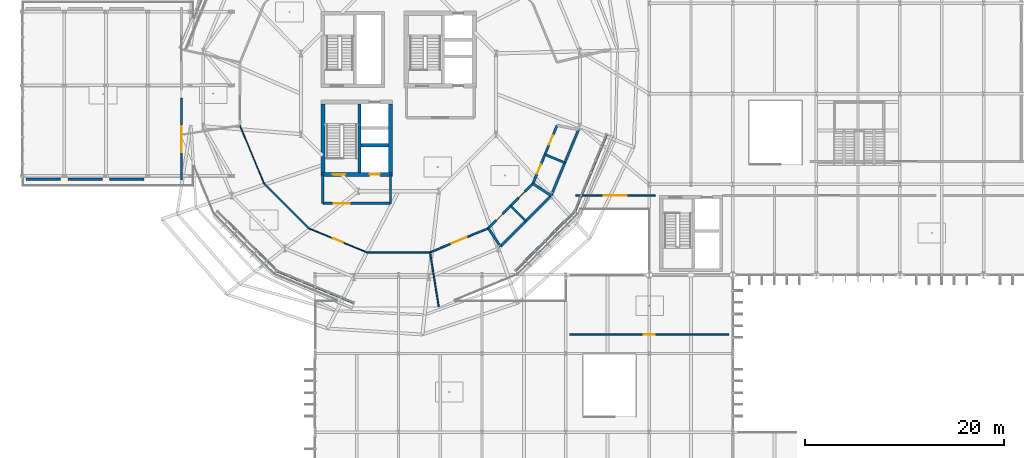
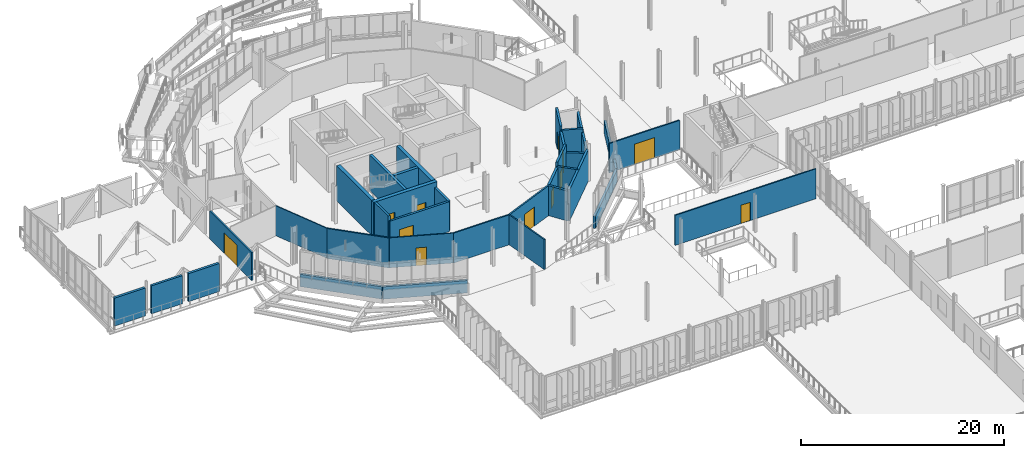
# One storey, part 101 of 139: 34 walls, 12 doors, 12 openings.
"""IFC4 building model written with IfcOpenShell, lengths in metres."""

import ifcopenshell
import ifcopenshell.guid

model = None  # the IFC model being written
_history = None  # IfcOwnerHistory: only IFC2X3 demands one
_inside = {}  # id of a spatial element -> (the spatial element, [elements in it])
_under = {}  # id of a project, library or spatial element -> (it, [spatial elements below it])
_declared = {}  # id of a project -> (the project, [libraries it declares])
_typed = {}  # id of a type object -> (the type object, [elements of that type])
_made_of = {}  # id of a material, layer set ... -> (it, [elements and type objects made of it])


def new_model(schema):
    """Start an empty IFC model of exactly this schema.

    Asked for "IFC4X3", IfcOpenShell would pick the latest addendum, in which some entities
    have other attributes; the version numbers below select the first issue.
    IFC2X3 requires an IfcOwnerHistory on every rooted entity: one is made here for all.
    """
    global model, _history
    if schema == "IFC4X3":
        model = ifcopenshell.file(schema_version=(4, 3, 0, 0))
    else:
        model = ifcopenshell.file(schema=schema)
    _inside.clear()
    _under.clear()
    _declared.clear()
    _typed.clear()
    _made_of.clear()
    _history = None
    if model.schema == "IFC2X3":
        org = make("IfcOrganization", Name="unknown")
        user = make(
            "IfcPersonAndOrganization",
            ThePerson=make("IfcPerson", FamilyName="unknown"),
            TheOrganization=org,
        )
        app = make(
            "IfcApplication",
            ApplicationDeveloper=org,
            Version="unknown",
            ApplicationFullName="unknown",
            ApplicationIdentifier="unknown",
        )
        _history = make(
            "IfcOwnerHistory",
            OwningUser=user,
            OwningApplication=app,
            ChangeAction="ADDED",
            CreationDate=0,
        )
    return model


def make(cls, **values):
    """One entity of the class cls with the attributes given. An attribute that is None is left unset."""
    return model.create_entity(
        cls, **{name: value for name, value in values.items() if value is not None}
    )


def rooted(cls, **values):
    """An entity with a GlobalId (a new one), such as an element, a storey or a relation."""
    return make(cls, GlobalId=ifcopenshell.guid.new(), OwnerHistory=_history, **values)


def si_unit(unit_type, name, prefix=None):
    """IfcSIUnit, for example si_unit("LENGTHUNIT", "METRE", prefix="MILLI")."""
    return make("IfcSIUnit", UnitType=unit_type, Prefix=prefix, Name=name)


def derived_unit(unit_type, elements):
    """IfcDerivedUnit: a product of units, each with its exponent."""
    return make(
        "IfcDerivedUnit",
        Elements=[
            make("IfcDerivedUnitElement", Unit=unit, Exponent=power)
            for unit, power in elements
        ],
        UnitType=unit_type,
    )


def assignment(units):
    """IfcUnitAssignment: the units of a project."""
    return None if units is None else make("IfcUnitAssignment", Units=units)


def point(xyz):
    """IfcCartesianPoint."""
    return None if xyz is None else make("IfcCartesianPoint", Coordinates=xyz)


def direction(xyz):
    """IfcDirection."""
    return None if xyz is None else make("IfcDirection", DirectionRatios=xyz)


def frame(location, z_axis=None, x_axis=None):
    """IfcAxis2Placement3D, a coordinate frame: its origin and axes. An axis left out is left unset."""
    return make(
        "IfcAxis2Placement3D",
        Location=point(location),
        Axis=direction(z_axis),
        RefDirection=direction(x_axis),
    )


def frame_2d(location, x_axis=None):
    """IfcAxis2Placement2D, a coordinate frame in the plane: its origin and x axis."""
    return make(
        "IfcAxis2Placement2D", Location=point(location), RefDirection=direction(x_axis)
    )


def origin():
    """The frame at (0, 0, 0) with its axes left unset."""
    return frame((0.0, 0.0, 0.0))


def place(relative_to, where):
    """IfcLocalPlacement: puts the frame where relative to a parent placement (None: the world)."""
    return make(
        "IfcLocalPlacement", PlacementRelTo=relative_to, RelativePlacement=where
    )


def context(
    kind, dimensions, precision=None, world=None, true_north=None, identifier=None
):
    """IfcGeometricRepresentationContext, for example the 3D "Model" context."""
    return make(
        "IfcGeometricRepresentationContext",
        ContextIdentifier=identifier,
        ContextType=kind,
        CoordinateSpaceDimension=dimensions,
        Precision=precision,
        WorldCoordinateSystem=world,
        TrueNorth=true_north,
    )


def subcontext(parent, identifier, kind, view, scale=None):
    """IfcGeometricRepresentationSubContext, for example "Body" below "Model"."""
    return make(
        "IfcGeometricRepresentationSubContext",
        ContextIdentifier=identifier,
        ContextType=kind,
        ParentContext=parent,
        TargetScale=scale,
        TargetView=view,
    )


def project(units=None, contexts=None):
    """IfcProject with its units and contexts."""
    return rooted(
        "IfcProject",
        Name="project",
        RepresentationContexts=contexts,
        UnitsInContext=assignment(units),
    )


def spatial(cls, under=None, at=None, **own):
    """A site, building, storey or space (cls), placed at a placement, below another one or the project."""
    s = rooted(cls, ObjectPlacement=at, **own)
    if under is not None:
        _under.setdefault(under.id(), (under, []))[1].append(s)
    return s


def profile(cls, at=None, kind="AREA", **sizes):
    """A parametric profile (cls). Its sizes go by their IFC names, for example OverallWidth=200.0."""
    return make(cls, ProfileType=kind, Position=at, **sizes)


def rectangle(**sizes):
    """IfcRectangleProfileDef."""
    return profile("IfcRectangleProfileDef", **sizes)


def extrude(swept, where, along, depth):
    """IfcExtrudedAreaSolid: the profile swept, set in the frame where, extruded along a direction by depth."""
    return make(
        "IfcExtrudedAreaSolid",
        SweptArea=swept,
        Position=where,
        ExtrudedDirection=direction(along),
        Depth=depth,
    )


def shape(context_of_items, identifier, shape_type, items):
    """IfcShapeRepresentation: the items that make up one representation, for example the "Body"."""
    return make(
        "IfcShapeRepresentation",
        ContextOfItems=context_of_items,
        RepresentationIdentifier=identifier,
        RepresentationType=shape_type,
        Items=items,
    )


def material(Name=None, Category=None):
    """IfcMaterial."""
    return make("IfcMaterial", Name=Name, Category=Category)


def layer(
    of_material, thickness, ventilated=None, Name=None, Category=None, Priority=None
):
    """IfcMaterialLayer: one layer of a wall or slab, of a material (None: an air gap)."""
    return make(
        "IfcMaterialLayer",
        Material=of_material,
        LayerThickness=thickness,
        IsVentilated=ventilated,
        Name=Name,
        Category=Category,
        Priority=Priority,
    )


def layer_set(layers, Name=None):
    """IfcMaterialLayerSet."""
    return make("IfcMaterialLayerSet", MaterialLayers=layers, LayerSetName=Name)


def made_of(thing, what):
    """Note that an element or type object is made of a material, layer set ...; save() writes the relation."""
    if what is not None:
        _made_of.setdefault(what.id(), (what, []))[1].append(thing)
    return thing


def type_object(cls, material=None, **own):
    """A type object (cls), such as IfcWallType, which elements share."""
    return made_of(rooted(cls, **own), material)


def element(
    cls,
    number,
    at=None,
    inside=None,
    cuts=None,
    type_object=None,
    material=None,
    context=None,
    identifier="Body",
    shape_type=None,
    held_by="IfcProductDefinitionShape",
    body=None,
    shapes=None,
    **own,
):
    """One element of the class cls, such as IfcWall. Its Tag is "e" and its number.

    at: its placement. inside: the storey or other place that contains it. cuts: it is an
    opening in that element (IfcRelVoidsElement). A single representation is given by context,
    identifier, shape_type and body (its items); several are given by shapes. held_by: the class
    of the entity that holds the representations. save() writes the other relations.
    """
    e = rooted(cls, Tag="e%d" % number, ObjectPlacement=at, **own)
    if body is not None:
        shapes = [shape(context, identifier, shape_type, body)]
    if shapes is not None:
        e.Representation = make(held_by, Representations=shapes)
    if inside is not None:
        _inside.setdefault(inside.id(), (inside, []))[1].append(e)
    if cuts is not None:
        rooted(
            "IfcRelVoidsElement", RelatingBuildingElement=cuts, RelatedOpeningElement=e
        )
    if type_object is not None:
        _typed.setdefault(type_object.id(), (type_object, []))[1].append(e)
    return made_of(e, material)


def fill(opening, filler):
    """IfcRelFillsElement: the door or window that sits in an opening."""
    return rooted(
        "IfcRelFillsElement",
        RelatingOpeningElement=opening,
        RelatedBuildingElement=filler,
    )


def aggregate(whole, parts):
    """IfcRelAggregates: a whole, such as a stair, and the parts it consists of."""
    return rooted("IfcRelAggregates", RelatingObject=whole, RelatedObjects=parts)


def save(model, path):
    """Write the relations noted so far, then the file.

    IfcRelAggregates (storeys below a building ...), IfcRelContainedInSpatialStructure (elements
    in a storey), IfcRelDefinesByType, IfcRelAssociatesMaterial and IfcRelDeclares: one each for
    every whole, place, type object, material and project.
    """
    for whole, parts in _under.values():
        aggregate(whole, parts)
    for where, things in _inside.values():
        rooted(
            "IfcRelContainedInSpatialStructure",
            RelatedElements=things,
            RelatingStructure=where,
        )
    for kind, things in _typed.values():
        rooted("IfcRelDefinesByType", RelatedObjects=things, RelatingType=kind)
    for what, things in _made_of.values():
        rooted("IfcRelAssociatesMaterial", RelatedObjects=things, RelatingMaterial=what)
    for by, libraries in _declared.values():
        rooted("IfcRelDeclares", RelatingContext=by, RelatedDefinitions=libraries)
    model.write(path)


model = new_model("IFC4")

# Units and contexts
model_context = context("Model", 3, precision=1e-05, world=origin(), true_north=direction((0.0, 1.0)))
body_context = subcontext(model_context, "Body", "Model", "MODEL_VIEW")
ifc_project = project(units=[si_unit("LENGTHUNIT", "METRE"), si_unit("AREAUNIT", "SQUARE_METRE"), si_unit("VOLUMEUNIT", "CUBIC_METRE"), si_unit("PLANEANGLEUNIT", "RADIAN"), si_unit("MASSUNIT", "GRAM", prefix="KILO"), derived_unit("THERMALTRANSMITTANCEUNIT", [(si_unit("MASSUNIT", "GRAM", prefix="KILO"), 1), (si_unit("TIMEUNIT", "SECOND"), -3), (si_unit("THERMODYNAMICTEMPERATUREUNIT", "KELVIN"), -1)])], contexts=[model_context])

# Site, building, storey
site_placement = place(None, origin())
site = spatial("IfcSite", under=ifc_project, at=site_placement, CompositionType="ELEMENT")
building_placement = place(site_placement, origin())
building = spatial("IfcBuilding", under=site, at=building_placement, Name="Makaiwela Harbour Ferry Terminal", CompositionType="ELEMENT")
storey_placement = place(building_placement, frame((0.0, 0.0, 5.10009765625)))
storey = spatial("IfcBuildingStorey", under=building, at=storey_placement, Name="L01", CompositionType="ELEMENT", Elevation=5.10009765625)

# Walls
ifc_material_1 = material(Name="Precast concrete f'c 40 MPa (6000 psi)", Category="concrete")
ifc_layer_1 = layer(ifc_material_1, 0.260009765625)
ifc_layer_set_1 = layer_set([ifc_layer_1], Name="Precast concrete f'c 40 MPa (6000 psi)")
wall_type_1 = type_object("IfcWallType", Name="ENV-WL-EXT260", PredefinedType="SOLIDWALL", material=ifc_layer_set_1)
for number, where, z_axis, x_axis, name in (
    (1, (19.611572265625, 55.758544921875, 0.0), (0.0, 0.0, 1.0), (0.707106781187, -0.707106781187, 0.0), "Drum Spandrel Backup Wall EW-L01-09"),
    (2, (25.577392578125, 49.808837890625, 0.0), (0.0, 0.0, 1.0), (0.923874237318, -0.382696215843, 0.0), "Drum Spandrel Backup Wall EW-L01-10"),
    (3, (49.571533203125, 49.841552734375, 0.0), (0.0, 0.0, 1.0), (0.707106781187, 0.707106781187, 0.0), "Drum Spandrel Backup Wall EW-L01-13"),
    (4, (55.521240234375, 55.807373046875, 0.0), (0.0, 0.0, 1.0), (0.382671312788, 0.923884552511, 0.0), "Drum Spandrel Backup Wall EW-L01-14"),
):
    element("IfcWall", number, at=place(storey_placement, frame(where, z_axis=z_axis, x_axis=x_axis)), inside=storey, type_object=wall_type_1, Name=name, PredefinedType="SOLIDWALL", context=body_context, shape_type="SweptSolid", body=[
        extrude(rectangle(XDim=8.367919921875, YDim=0.260009765625, at=frame_2d((4.18408203125, 0.0))), origin(), (0.0, 0.0, 1.0), 1.47998046875),
    ])
for number, where, z_axis, x_axis, name in (
    (5, (12.239990234375, 59.030029296875, 0.0), (0.0, 0.0, 1.0), (-1.0, 0.0, 0.0), "Exterior Wall EW-091"),
    (6, (8.0400390625, 59.030029296875, 0.0), (0.0, 0.0, 1.0), (-1.0, 0.0, 0.0), "Exterior Wall EW-095"),
    (7, (3.840087890625, 59.030029296875, 0.0), (0.0, 0.0, 1.0), (-1.0, 0.0, 0.0), "Exterior Wall EW-099"),
):
    element("IfcWall", number, at=place(storey_placement, frame(where, z_axis=z_axis, x_axis=x_axis)), inside=storey, type_object=wall_type_1, Name=name, PredefinedType="SOLIDWALL", context=body_context, shape_type="SweptSolid", body=[
        extrude(rectangle(XDim=3.47998046875, YDim=0.260009765625, at=frame_2d((1.739990234375, 0.0))), origin(), (0.0, 0.0, 1.0), 3.364013671875),
    ])
ifc_material_2 = material(Name="Fire-rated gypsum board on steel studs", Category="steel")
ifc_layer_2 = layer(ifc_material_2, 0.1650390625)
ifc_layer_set_2 = layer_set([ifc_layer_2], Name="Fire-rated gypsum board on steel studs")
wall_type_2 = type_object("IfcWallType", Name="INT-WL-FIR165", PredefinedType="PARTITIONING", material=ifc_layer_set_2)
wall_1_placement = place(storey_placement, frame((24.28857421875, 58.572021484375, 0.0), z_axis=(0.0, 0.0, 1.0), x_axis=(0.707106781187, -0.707106781187, 0.0)))
element("IfcWall", 8, at=wall_1_placement, inside=storey, type_object=wall_type_2, Name="Interior Wall IW-0276", PredefinedType="PARTITIONING", context=body_context, shape_type="SweptSolid", body=[
    extrude(rectangle(XDim=6.340576171875, YDim=0.1650390625, at=frame_2d((3.17041015625, 0.0))), origin(), (0.0, 0.0, 1.0), 3.598876953125),
])

# Wall, opening, door
wall_2_placement = place(storey_placement, frame((40.97021484375, 51.662109375, 0.0), z_axis=(0.0, 0.0, 1.0), x_axis=(0.923868995071, 0.382708871005, 0.0)))
wall_2 = element("IfcWall", 9, at=wall_2_placement, inside=storey, type_object=wall_type_2, Name="Interior Wall IW-0279", PredefinedType="PARTITIONING", context=body_context, shape_type="SweptSolid", body=[
    extrude(rectangle(XDim=6.34033203125, YDim=0.1650390625, at=frame_2d((3.170166015625, 0.0))), origin(), (0.0, 0.0, 1.0), 3.598876953125),
])
opening_1_placement = place(wall_2_placement, frame((2.34521484375, 0.0, 0.0)))
opening_1 = element("IfcOpeningElement", 10, at=opening_1_placement, cuts=wall_2, Name="Opening D-17", PredefinedType="OPENING", context=body_context, shape_type="SweptSolid", body=[
    extrude(rectangle(XDim=1.64990234375, YDim=2.300048828125, at=frame_2d((0.824951171875, 1.14990234375))), frame((0.0, 0.092529296875, 0.0), z_axis=(0.0, -1.0, 0.0), x_axis=(1.0, 0.0, 0.0)), (0.0, 0.0, 1.0), 0.18505859375),
])
ifc_material_3 = material(Name="Solid-core marine hardwood and painted steel frame", Category="steel")
door_type_1 = type_object("IfcDoorType", Name="INT-DR-DIN165", OperationType="NOTDEFINED", PredefinedType="DOOR", material=ifc_material_3)
door_1_placement = place(opening_1_placement, frame((1.64990234375, 0.0, 0.0), z_axis=(0.0, 0.0, 1.0), x_axis=(-1.0, 0.0, 0.0)))
door_1 = element("IfcDoor", 11, at=door_1_placement, inside=storey, type_object=door_type_1, Name="Door D-17", OperationType="DOUBLE_DOOR_SINGLE_SWING", OverallHeight=2.300048828125, OverallWidth=1.64990234375, PredefinedType="DOOR", context=body_context, shape_type="SweptSolid", body=[
    extrude(rectangle(XDim=1.64990234375, YDim=2.300048828125, at=frame_2d((0.824951171875, 1.14990234375))), frame((0.0, 0.02490234375, 0.0), z_axis=(0.0, -1.0, 0.0), x_axis=(1.0, 0.0, 0.0)), (0.0, 0.0, 1.0), 0.050048828125),
])
fill(opening_1, door_1)

ifc_layer_3 = layer(ifc_material_2, 0.179931640625)
ifc_layer_set_3 = layer_set([ifc_layer_3], Name="Fire-rated gypsum board on steel studs")
wall_type_3 = type_object("IfcWallType", Name="INT-WL-FIR180", PredefinedType="PARTITIONING", material=ifc_layer_set_3)
wall_3_placement = place(storey_placement, frame((16.0, 67.14990234375, 0.0), z_axis=(0.0, 0.0, 1.0), x_axis=(0.0, -1.0, 0.0)))
wall_3 = element("IfcWall", 12, at=wall_3_placement, inside=storey, type_object=wall_type_3, Name="Interior Wall IW-0230", PredefinedType="PARTITIONING", context=body_context, shape_type="SweptSolid", body=[
    extrude(rectangle(XDim=8.199951171875, YDim=0.179931640625, at=frame_2d((4.10009765625, 0.0))), origin(), (0.0, 0.0, 1.0), 3.364013671875),
])
opening_2_placement = place(wall_3_placement, frame((2.800048828125, 0.0, 0.0)))
opening_2 = element("IfcOpeningElement", 13, at=opening_2_placement, cuts=wall_3, Name="Opening BG-03", PredefinedType="OPENING", context=body_context, shape_type="SweptSolid", body=[
    extrude(rectangle(XDim=2.60009765625, YDim=2.5, at=frame_2d((1.300048828125, 1.25))), frame((0.0, 0.099853515625, 0.0), z_axis=(0.0, -1.0, 0.0), x_axis=(1.0, 0.0, 0.0)), (0.0, 0.0, 1.0), 0.199951171875),
])
ifc_material_4 = material(Name="Marine anodised aluminium 6063-T6", Category="aluminium")
door_type_2 = type_object("IfcDoorType", Name="ENV-GT-BRD03", OperationType="NOTDEFINED", PredefinedType="GATE", material=ifc_material_4)
door_2_placement = place(opening_2_placement, origin())
door_2 = element("IfcDoor", 14, at=door_2_placement, inside=storey, type_object=door_type_2, Name="Door BG-03", OperationType="DOUBLE_DOOR_SLIDING", OverallHeight=2.5, OverallWidth=2.60009765625, PredefinedType="GATE", context=body_context, shape_type="SweptSolid", body=[
    extrude(rectangle(XDim=2.60009765625, YDim=2.5, at=frame_2d((1.300048828125, 1.25))), frame((0.0, 0.02490234375, 0.0), z_axis=(0.0, -1.0, 0.0), x_axis=(1.0, 0.0, 0.0)), (0.0, 0.0, 1.0), 0.050048828125),
])
fill(opening_2, door_2)

ifc_layer_4 = layer(ifc_material_2, 0.239990234375)
ifc_layer_set_4 = layer_set([ifc_layer_4], Name="Fire-rated gypsum board on steel studs")
wall_type_4 = type_object("IfcWallType", Name="INT-WL-FIR240", PredefinedType="SOLIDWALL", material=ifc_layer_set_4)
wall_4_placement = place(storey_placement, frame((30.199951171875, 56.60009765625, 0.0), z_axis=(0.0, 0.0, 1.0), x_axis=(1.0, 0.0, 0.0)))
wall_4 = element("IfcWall", 15, at=wall_4_placement, inside=storey, type_object=wall_type_4, Name="Interior Wall IW-0075", PredefinedType="SOLIDWALL", context=body_context, shape_type="SweptSolid", body=[
    extrude(rectangle(XDim=6.800048828125, YDim=0.239990234375, at=frame_2d((3.39990234375, 0.0))), origin(), (0.0, 0.0, 1.0), 3.598876953125),
])
opening_3_placement = place(wall_4_placement, frame((1.10400390625, 0.0, 0.0)))
opening_3 = element("IfcOpeningElement", 16, at=opening_3_placement, cuts=wall_4, Name="Opening D-03", PredefinedType="OPENING", context=body_context, shape_type="SweptSolid", body=[
    extrude(rectangle(XDim=1.60009765625, YDim=2.199951171875, at=frame_2d((0.800048828125, 1.10009765625))), frame((0.0, 0.1298828125, 0.0), z_axis=(0.0, -1.0, 0.0), x_axis=(1.0, 0.0, 0.0)), (0.0, 0.0, 1.0), 0.260009765625),
])
ifc_material_5 = material(Name="Insulated galvanised fire-rated steel leaf and frame", Category="steel")
door_type_3 = type_object("IfcDoorType", Name="INT-DR-FFL160", OperationType="NOTDEFINED", PredefinedType="DOOR", material=ifc_material_5)
door_3_placement = place(opening_3_placement, frame((1.60009765625, 0.0, 0.0), z_axis=(0.0, 0.0, 1.0), x_axis=(-1.0, 0.0, 0.0)))
door_3 = element("IfcDoor", 17, at=door_3_placement, inside=storey, type_object=door_type_3, Name="Door D-03", OperationType="DOUBLE_DOOR_SINGLE_SWING", OverallHeight=2.199951171875, OverallWidth=1.60009765625, PredefinedType="DOOR", context=body_context, shape_type="SweptSolid", body=[
    extrude(rectangle(XDim=1.60009765625, YDim=2.199951171875, at=frame_2d((0.800048828125, 1.10009765625))), frame((0.0, 0.02490234375, 0.0), z_axis=(0.0, -1.0, 0.0), x_axis=(1.0, 0.0, 0.0)), (0.0, 0.0, 1.0), 0.050048828125),
])
fill(opening_3, door_3)

# Walls
wall_5_placement = place(storey_placement, frame((30.199951171875, 59.5, 0.0), z_axis=(0.0, 0.0, 1.0), x_axis=(0.0, -1.0, 0.0)))
element("IfcWall", 18, at=wall_5_placement, inside=storey, type_object=wall_type_4, Name="Interior Wall IW-0076", PredefinedType="SOLIDWALL", context=body_context, shape_type="SweptSolid", body=[
    extrude(rectangle(XDim=2.89990234375, YDim=0.239990234375, at=frame_2d((1.449951171875, 0.0))), origin(), (0.0, 0.0, 1.0), 4.199951171875),
])
wall_6_placement = place(storey_placement, frame((37.0, 56.60009765625, 0.0), z_axis=(0.0, 0.0, 1.0), x_axis=(0.0, 1.0, 0.0)))
element("IfcWall", 19, at=wall_6_placement, inside=storey, type_object=wall_type_4, Name="Interior Wall IW-0077", PredefinedType="SOLIDWALL", context=body_context, shape_type="SweptSolid", body=[
    extrude(rectangle(XDim=2.89990234375, YDim=0.239990234375, at=frame_2d((1.449951171875, 0.0))), origin(), (0.0, 0.0, 1.0), 3.598876953125),
])

# Wall, opening, door
ifc_material_6 = material(Name="Moisture-resistant acoustic gypsum partition", Category="gypsum")
ifc_layer_5 = layer(ifc_material_6, 0.22998046875)
ifc_layer_set_5 = layer_set([ifc_layer_5], Name="Moisture-resistant acoustic gypsum partition")
wall_type_5 = type_object("IfcWallType", Name="INT-WL-PLM230", PredefinedType="PLUMBINGWALL", material=ifc_layer_set_5)
wall_7_placement = place(storey_placement, frame((49.069580078125, 56.330322265625, 0.0), z_axis=(0.0, 0.0, 1.0), x_axis=(0.707106781187, 0.707106781187, 0.0)))
wall_7 = element("IfcWall", 20, at=wall_7_placement, inside=storey, type_object=wall_type_5, Name="Interior Wall IW-0281", PredefinedType="PLUMBINGWALL", context=body_context, shape_type="SweptSolid", body=[
    extrude(rectangle(XDim=3.170166015625, YDim=0.22998046875, at=frame_2d((1.5849609375, 0.0))), origin(), (0.0, 0.0, 1.0), 4.199951171875),
])
opening_4_placement = place(wall_7_placement, frame((1.125, 0.0, 0.0)))
opening_4 = element("IfcOpeningElement", 21, at=opening_4_placement, cuts=wall_7, Name="Opening D-11", PredefinedType="OPENING", context=body_context, shape_type="SweptSolid", body=[
    extrude(rectangle(XDim=0.919921875, YDim=2.10009765625, at=frame_2d((0.4599609375, 1.050048828125))), frame((0.0, 0.125, 0.0), z_axis=(0.0, -1.0, 0.0), x_axis=(1.0, 0.0, 0.0)), (0.0, 0.0, 1.0), 0.25),
])
door_type_4 = type_object("IfcDoorType", Name="INT-DR-WC092", OperationType="NOTDEFINED", PredefinedType="DOOR", material=ifc_material_3)
door_4_placement = place(opening_4_placement, frame((0.919921875, 0.0, 0.0), z_axis=(0.0, 0.0, 1.0), x_axis=(-1.0, 0.0, 0.0)))
door_4 = element("IfcDoor", 22, at=door_4_placement, inside=storey, type_object=door_type_4, Name="Door D-11", OperationType="SINGLE_SWING_LEFT", OverallHeight=2.10009765625, OverallWidth=0.919921875, PredefinedType="DOOR", context=body_context, shape_type="SweptSolid", body=[
    extrude(rectangle(XDim=0.919921875, YDim=2.10009765625, at=frame_2d((0.4599609375, 1.050048828125))), frame((0.0, 0.02490234375, 0.0), z_axis=(0.0, -1.0, 0.0), x_axis=(1.0, 0.0, 0.0)), (0.0, 0.0, 1.0), 0.050048828125),
])
fill(opening_4, door_4)

# Wall
wall_8_placement = place(storey_placement, frame((49.069580078125, 56.330322265625, 0.0), z_axis=(0.0, 0.0, 1.0), x_axis=(0.707106781187, -0.707106781187, 0.0)))
element("IfcWall", 23, at=wall_8_placement, inside=storey, type_object=wall_type_5, Name="Interior Wall IW-0283", PredefinedType="PLUMBINGWALL", context=body_context, shape_type="SweptSolid", body=[
    extrude(rectangle(XDim=2.157958984375, YDim=0.22998046875, at=frame_2d((1.0791015625, 0.0))), origin(), (0.0, 0.0, 1.0), 3.739013671875),
])

# Wall, opening, door
wall_9_placement = place(storey_placement, frame((52.524658203125, 61.5009765625, 0.0), z_axis=(0.0, 0.0, 1.0), x_axis=(0.382689618566, 0.923876970079, 0.0)))
wall_9 = element("IfcWall", 24, at=wall_9_placement, inside=storey, type_object=wall_type_5, Name="Interior Wall IW-0286", PredefinedType="PLUMBINGWALL", context=body_context, shape_type="SweptSolid", body=[
    extrude(rectangle(XDim=3.169921875, YDim=0.22998046875, at=frame_2d((1.5849609375, 0.0))), origin(), (0.0, 0.0, 1.0), 4.199951171875),
])
opening_5_placement = place(wall_9_placement, frame((1.09521484375, 0.0, 0.0)))
opening_5 = element("IfcOpeningElement", 25, at=opening_5_placement, cuts=wall_9, Name="Opening D-12", PredefinedType="OPENING", context=body_context, shape_type="SweptSolid", body=[
    extrude(rectangle(XDim=0.97998046875, YDim=2.14990234375, at=frame_2d((0.489990234375, 1.074951171875))), frame((0.0, 0.125, 0.0), z_axis=(0.0, -1.0, 0.0), x_axis=(1.0, 0.0, 0.0)), (0.0, 0.0, 1.0), 0.25),
])
door_type_5 = type_object("IfcDoorType", Name="INT-DR-WC098", OperationType="NOTDEFINED", PredefinedType="DOOR", material=ifc_material_3)
door_5_placement = place(opening_5_placement, frame((0.97998046875, 0.0, 0.0), z_axis=(0.0, 0.0, 1.0), x_axis=(-1.0, 0.0, 0.0)))
door_5 = element("IfcDoor", 26, at=door_5_placement, inside=storey, type_object=door_type_5, Name="Door D-12", OperationType="SINGLE_SWING_LEFT", OverallHeight=2.14990234375, OverallWidth=0.97998046875, PredefinedType="DOOR", context=body_context, shape_type="SweptSolid", body=[
    extrude(rectangle(XDim=0.97998046875, YDim=2.14990234375, at=frame_2d((0.489990234375, 1.074951171875))), frame((0.0, 0.02490234375, 0.0), z_axis=(0.0, -1.0, 0.0), x_axis=(1.0, 0.0, 0.0)), (0.0, 0.0, 1.0), 0.050048828125),
])
fill(opening_5, door_5)

# Walls
wall_10_placement = place(storey_placement, frame((53.140625, 57.349609375, 0.0), z_axis=(0.0, 0.0, 1.0), x_axis=(0.382683262556, 0.923879602849, 0.0)))
element("IfcWall", 27, at=wall_10_placement, inside=storey, type_object=wall_type_5, Name="Interior Wall IW-0287", PredefinedType="PLUMBINGWALL", context=body_context, shape_type="SweptSolid", body=[
    extrude(rectangle(XDim=7.198974609375, YDim=0.22998046875, at=frame_2d((3.599609375, 0.0))), origin(), (0.0, 0.0, 1.0), 3.264892578125),
])
wall_11_placement = place(storey_placement, frame((52.524658203125, 61.5009765625, 0.0), z_axis=(0.0, 0.0, 1.0), x_axis=(0.923881682241, -0.382678242417, 0.0)))
element("IfcWall", 28, at=wall_11_placement, inside=storey, type_object=wall_type_5, Name="Interior Wall IW-0288", PredefinedType="PLUMBINGWALL", context=body_context, shape_type="SweptSolid", body=[
    extrude(rectangle(XDim=2.15771484375, YDim=0.22998046875, at=frame_2d((1.078857421875, 0.0))), origin(), (0.0, 0.0, 1.0), 3.739013671875),
])

# Wall, opening, door
ifc_layer_6 = layer(ifc_material_6, 0.25)
ifc_layer_set_6 = layer_set([ifc_layer_6], Name="Moisture-resistant acoustic gypsum partition")
wall_type_6 = type_object("IfcWallType", Name="INT-WL-PLM250", PredefinedType="PLUMBINGWALL", material=ifc_layer_set_6)
wall_12_placement = place(storey_placement, frame((46.827880859375, 54.088623046875, 0.0), z_axis=(0.0, 0.0, 1.0), x_axis=(0.707106781187, 0.707106781187, 0.0)))
wall_12 = element("IfcWall", 29, at=wall_12_placement, inside=storey, type_object=wall_type_6, Name="Interior Wall IW-0280", PredefinedType="PLUMBINGWALL", context=body_context, shape_type="SweptSolid", body=[
    extrude(rectangle(XDim=3.170166015625, YDim=0.25, at=frame_2d((1.5849609375, 0.0))), origin(), (0.0, 0.0, 1.0), 3.598876953125),
])
opening_6_placement = place(wall_12_placement, frame((1.125, 0.0, 0.0)))
opening_6 = element("IfcOpeningElement", 30, at=opening_6_placement, cuts=wall_12, Name="Opening D-11", PredefinedType="OPENING", context=body_context, shape_type="SweptSolid", body=[
    extrude(rectangle(XDim=0.919921875, YDim=2.10009765625, at=frame_2d((0.4599609375, 1.050048828125))), frame((0.0, 0.135009765625, 0.0), z_axis=(0.0, -1.0, 0.0), x_axis=(1.0, 0.0, 0.0)), (0.0, 0.0, 1.0), 0.27001953125),
])
door_6_placement = place(opening_6_placement, frame((0.919921875, 0.0, 0.0), z_axis=(0.0, 0.0, 1.0), x_axis=(-1.0, 0.0, 0.0)))
door_6 = element("IfcDoor", 31, at=door_6_placement, inside=storey, type_object=door_type_4, Name="Door D-11", OperationType="SINGLE_SWING_RIGHT", OverallHeight=2.10009765625, OverallWidth=0.919921875, PredefinedType="DOOR", context=body_context, shape_type="SweptSolid", body=[
    extrude(rectangle(XDim=0.919921875, YDim=2.10009765625, at=frame_2d((0.4599609375, 1.050048828125))), frame((0.0, 0.02490234375, 0.0), z_axis=(0.0, -1.0, 0.0), x_axis=(1.0, 0.0, 0.0)), (0.0, 0.0, 1.0), 0.050048828125),
])
fill(opening_6, door_6)

# Walls
wall_13_placement = place(storey_placement, frame((48.05029296875, 52.259521484375, 0.0), z_axis=(0.0, 0.0, 1.0), x_axis=(0.707123738387, 0.707089823579, 0.0)))
element("IfcWall", 32, at=wall_13_placement, inside=storey, type_object=wall_type_6, Name="Interior Wall IW-0282", PredefinedType="PLUMBINGWALL", context=body_context, shape_type="SweptSolid", body=[
    extrude(rectangle(XDim=7.19873046875, YDim=0.25, at=frame_2d((3.599365234375, 0.0))), origin(), (0.0, 0.0, 1.0), 3.739013671875),
])
wall_14_placement = place(storey_placement, frame((46.827880859375, 54.088623046875, 0.0), z_axis=(0.0, 0.0, 1.0), x_axis=(0.555647384729, -0.831418056, 0.0)))
element("IfcWall", 33, at=wall_14_placement, inside=storey, type_object=wall_type_6, Name="Interior Wall IW-0284", PredefinedType="PLUMBINGWALL", context=body_context, shape_type="SweptSolid", body=[
    extrude(rectangle(XDim=2.199951171875, YDim=0.25, at=frame_2d((1.10009765625, 0.0))), origin(), (0.0, 0.0, 1.0), 3.598876953125),
])

# Wall, opening, door
wall_15_placement = place(storey_placement, frame((51.311279296875, 58.572021484375, 0.0), z_axis=(0.0, 0.0, 1.0), x_axis=(0.38272812134, 0.923861020466, 0.0)))
wall_15 = element("IfcWall", 34, at=wall_15_placement, inside=storey, type_object=wall_type_6, Name="Interior Wall IW-0285", PredefinedType="PLUMBINGWALL", context=body_context, shape_type="SweptSolid", body=[
    extrude(rectangle(XDim=3.17041015625, YDim=0.25, at=frame_2d((1.585205078125, 0.0))), origin(), (0.0, 0.0, 1.0), 3.598876953125),
])
opening_7_placement = place(wall_15_placement, frame((1.09521484375, 0.0, 0.0)))
opening_7 = element("IfcOpeningElement", 35, at=opening_7_placement, cuts=wall_15, Name="Opening D-12", PredefinedType="OPENING", context=body_context, shape_type="SweptSolid", body=[
    extrude(rectangle(XDim=0.97998046875, YDim=2.14990234375, at=frame_2d((0.489990234375, 1.074951171875))), frame((0.0, 0.135009765625, 0.0), z_axis=(0.0, -1.0, 0.0), x_axis=(1.0, 0.0, 0.0)), (0.0, 0.0, 1.0), 0.27001953125),
])
door_7_placement = place(opening_7_placement, frame((0.97998046875, 0.0, 0.0), z_axis=(0.0, 0.0, 1.0), x_axis=(-1.0, 0.0, 0.0)))
door_7 = element("IfcDoor", 36, at=door_7_placement, inside=storey, type_object=door_type_5, Name="Door D-12", OperationType="SINGLE_SWING_RIGHT", OverallHeight=2.14990234375, OverallWidth=0.97998046875, PredefinedType="DOOR", context=body_context, shape_type="SweptSolid", body=[
    extrude(rectangle(XDim=0.97998046875, YDim=2.14990234375, at=frame_2d((0.489990234375, 1.074951171875))), frame((0.0, 0.02490234375, 0.0), z_axis=(0.0, -1.0, 0.0), x_axis=(1.0, 0.0, 0.0)), (0.0, 0.0, 1.0), 0.050048828125),
])
fill(opening_7, door_7)

# Walls
wall_16_placement = place(storey_placement, frame((51.311279296875, 58.572021484375, 0.0), z_axis=(0.0, 0.0, 1.0), x_axis=(0.831452313852, -0.555596121107, 0.0)))
element("IfcWall", 37, at=wall_16_placement, inside=storey, type_object=wall_type_6, Name="Interior Wall IW-0289", PredefinedType="PLUMBINGWALL", context=body_context, shape_type="SweptSolid", body=[
    extrude(rectangle(XDim=2.2001953125, YDim=0.25, at=frame_2d((1.10009765625, 0.0))), origin(), (0.0, 0.0, 1.0), 3.264892578125),
])
ifc_layer_7 = layer(ifc_material_6, 0.10009765625)
ifc_layer_set_7 = layer_set([ifc_layer_7], Name="Moisture-resistant acoustic gypsum partition")
wall_type_7 = type_object("IfcWallType", Name="INT-WL-PRT100", PredefinedType="PARTITIONING", material=ifc_layer_set_7)
wall_17_placement = place(storey_placement, frame((21.8623046875, 64.4296875, 0.0), z_axis=(0.0, 0.0, 1.0), x_axis=(0.382676004295, -0.923882609284, 0.0)))
element("IfcWall", 38, at=wall_17_placement, inside=storey, type_object=wall_type_7, Name="Interior Wall IW-0275", PredefinedType="PARTITIONING", context=body_context, shape_type="SweptSolid", body=[
    extrude(rectangle(XDim=6.34033203125, YDim=0.10009765625, at=frame_2d((3.170166015625, 0.0))), origin(), (0.0, 0.0, 1.0), 3.598876953125),
])

# Wall, opening, door
wall_18_placement = place(storey_placement, frame((28.77197265625, 54.088623046875, 0.0), z_axis=(0.0, 0.0, 1.0), x_axis=(0.92387463456, -0.382695256851, 0.0)))
wall_18 = element("IfcWall", 39, at=wall_18_placement, inside=storey, type_object=wall_type_7, Name="Interior Wall IW-0277", PredefinedType="PARTITIONING", context=body_context, shape_type="SweptSolid", body=[
    extrude(rectangle(XDim=6.340576171875, YDim=0.10009765625, at=frame_2d((3.17041015625, 0.0))), origin(), (0.0, 0.0, 1.0), 3.598876953125),
])
opening_8_placement = place(wall_18_placement, frame((2.645263671875, 0.0, 0.0)))
opening_8 = element("IfcOpeningElement", 40, at=opening_8_placement, cuts=wall_18, Name="Opening D-10", PredefinedType="OPENING", context=body_context, shape_type="SweptSolid", body=[
    extrude(rectangle(XDim=1.050048828125, YDim=2.14990234375, at=frame_2d((0.52490234375, 1.074951171875))), frame((0.0, 0.06005859375, 0.0), z_axis=(0.0, -1.0, 0.0), x_axis=(1.0, 0.0, 0.0)), (0.0, 0.0, 1.0), 0.1201171875),
])
door_type_6 = type_object("IfcDoorType", Name="INT-DR-RM105", OperationType="NOTDEFINED", PredefinedType="DOOR", material=ifc_material_3)
door_8_placement = place(opening_8_placement, frame((1.050048828125, 0.0, 0.0), z_axis=(0.0, 0.0, 1.0), x_axis=(-1.0, 0.0, 0.0)))
door_8 = element("IfcDoor", 41, at=door_8_placement, inside=storey, type_object=door_type_6, Name="Door D-10", OperationType="SINGLE_SWING_LEFT", OverallHeight=2.14990234375, OverallWidth=1.050048828125, PredefinedType="DOOR", context=body_context, shape_type="SweptSolid", body=[
    extrude(rectangle(XDim=1.050048828125, YDim=2.14990234375, at=frame_2d((0.52490234375, 1.074951171875))), frame((0.0, 0.02490234375, 0.0), z_axis=(0.0, -1.0, 0.0), x_axis=(1.0, 0.0, 0.0)), (0.0, 0.0, 1.0), 0.050048828125),
])
fill(opening_8, door_8)

# Wall
ifc_layer_8 = layer(ifc_material_6, 0.139892578125)
ifc_layer_set_8 = layer_set([ifc_layer_8], Name="Moisture-resistant acoustic gypsum partition")
wall_type_8 = type_object("IfcWallType", Name="INT-WL-PRT140", PredefinedType="PARTITIONING", material=ifc_layer_set_8)
wall_19_placement = place(storey_placement, frame((40.97021484375, 51.662109375, 0.0), z_axis=(0.0, 0.0, 1.0), x_axis=(0.157761845453, -0.98747718967, 0.0)))
element("IfcWall", 42, at=wall_19_placement, inside=storey, type_object=wall_type_8, Name="Interior Wall IW-0296", PredefinedType="PARTITIONING", context=body_context, shape_type="SweptSolid", body=[
    extrude(rectangle(XDim=5.53857421875, YDim=0.139892578125, at=frame_2d((2.769287109375, 0.0))), origin(), (0.0, 0.0, 1.0), 3.598876953125),
])

# Wall, opening, door
wall_20_placement = place(storey_placement, frame((55.0, 43.39990234375, 0.0), z_axis=(0.0, 0.0, 1.0), x_axis=(1.0, 0.0, 0.0)))
wall_20 = element("IfcWall", 43, at=wall_20_placement, inside=storey, type_object=wall_type_8, Name="Interior Wall IW-0508", PredefinedType="PARTITIONING", context=body_context, shape_type="SweptSolid", body=[
    extrude(rectangle(XDim=16.0, YDim=0.139892578125, at=frame_2d((8.0, 0.0))), origin(), (0.0, 0.0, 1.0), 3.602783203125),
])
opening_9_placement = place(wall_20_placement, frame((7.4599609375, 0.0, 0.0)))
opening_9 = element("IfcOpeningElement", 44, at=opening_9_placement, cuts=wall_20, Name="Opening D-14", PredefinedType="OPENING", context=body_context, shape_type="SweptSolid", body=[
    extrude(rectangle(XDim=1.080078125, YDim=2.199951171875, at=frame_2d((0.5400390625, 1.10009765625))), frame((0.0, 0.079833984375, 0.0), z_axis=(0.0, -1.0, 0.0), x_axis=(1.0, 0.0, 0.0)), (0.0, 0.0, 1.0), 0.159912109375),
])
door_type_7 = type_object("IfcDoorType", Name="INT-DR-OFF108", OperationType="NOTDEFINED", PredefinedType="DOOR", material=ifc_material_3)
door_9_placement = place(opening_9_placement, origin())
door_9 = element("IfcDoor", 45, at=door_9_placement, inside=storey, type_object=door_type_7, Name="Door D-14", OperationType="SINGLE_SWING_LEFT", OverallHeight=2.199951171875, OverallWidth=1.080078125, PredefinedType="DOOR", context=body_context, shape_type="SweptSolid", body=[
    extrude(rectangle(XDim=1.080078125, YDim=2.199951171875, at=frame_2d((0.5400390625, 1.10009765625))), frame((0.0, 0.02490234375, 0.0), z_axis=(0.0, -1.0, 0.0), x_axis=(1.0, 0.0, 0.0)), (0.0, 0.0, 1.0), 0.050048828125),
])
fill(opening_9, door_9)

# Wall
ifc_layer_9 = layer(ifc_material_6, 0.14990234375)
ifc_layer_set_9 = layer_set([ifc_layer_9], Name="Moisture-resistant acoustic gypsum partition")
wall_type_9 = type_object("IfcWallType", Name="INT-WL-PRT150", PredefinedType="PARTITIONING", material=ifc_layer_set_9)
wall_21_placement = place(storey_placement, frame((34.6298828125, 51.662109375, 0.0), z_axis=(0.0, 0.0, 1.0), x_axis=(1.0, 0.0, 0.0)))
element("IfcWall", 46, at=wall_21_placement, inside=storey, type_object=wall_type_9, Name="Interior Wall IW-0278", PredefinedType="PARTITIONING", context=body_context, shape_type="SweptSolid", body=[
    extrude(rectangle(XDim=6.34033203125, YDim=0.14990234375, at=frame_2d((3.170166015625, 0.0))), origin(), (0.0, 0.0, 1.0), 3.598876953125),
])

# Wall, opening, door
wall_22_placement = place(storey_placement, frame((55.60009765625, 57.39990234375, 0.0), z_axis=(0.0, 0.0, 1.0), x_axis=(1.0, 0.0, 0.0)))
wall_22 = element("IfcWall", 47, at=wall_22_placement, inside=storey, type_object=wall_type_9, Name="Interior Wall IW-0498", PredefinedType="PARTITIONING", context=body_context, shape_type="SweptSolid", body=[
    extrude(rectangle(XDim=8.0, YDim=0.14990234375, at=frame_2d((4.0, 0.0))), origin(), (0.0, 0.0, 1.0), 3.52197265625),
])
opening_10_placement = place(wall_22_placement, frame((2.85009765625, 0.0, 0.0)))
opening_10 = element("IfcOpeningElement", 48, at=opening_10_placement, cuts=wall_22, Name="Opening D-23", PredefinedType="OPENING", context=body_context, shape_type="SweptSolid", body=[
    extrude(rectangle(XDim=2.300048828125, YDim=2.449951171875, at=frame_2d((1.14990234375, 1.22509765625))), frame((0.0, 0.0849609375, 0.0), z_axis=(0.0, -1.0, 0.0), x_axis=(1.0, 0.0, 0.0)), (0.0, 0.0, 1.0), 0.169921875),
])
door_type_8 = type_object("IfcDoorType", Name="INT-DR-CON230", OperationType="NOTDEFINED", PredefinedType="DOOR", material=ifc_material_3)
door_10_placement = place(opening_10_placement, origin())
door_10 = element("IfcDoor", 49, at=door_10_placement, inside=storey, type_object=door_type_8, Name="Door D-23", OperationType="DOUBLE_DOOR_SINGLE_SWING", OverallHeight=2.449951171875, OverallWidth=2.300048828125, PredefinedType="DOOR", context=body_context, shape_type="SweptSolid", body=[
    extrude(rectangle(XDim=2.300048828125, YDim=2.449951171875, at=frame_2d((1.14990234375, 1.22509765625))), frame((0.0, 0.02490234375, 0.0), z_axis=(0.0, -1.0, 0.0), x_axis=(1.0, 0.0, 0.0)), (0.0, 0.0, 1.0), 0.050048828125),
])
fill(opening_10, door_10)

# Walls
ifc_material_7 = material(Name="Concrete f'c 45 MPa (6500 psi)", Category="concrete")
ifc_layer_10 = layer(ifc_material_7, 0.320068359375)
ifc_layer_set_10 = layer_set([ifc_layer_10], Name="Concrete f'c 45 MPa (6500 psi)")
wall_type_10 = type_object("IfcWallType", Name="INT-WL-SHR320", PredefinedType="SHEAR", material=ifc_layer_set_10)
wall_23_placement = place(storey_placement, frame((33.8720703125, 59.7099609375, 0.0), z_axis=(0.0, 0.0, 1.0), x_axis=(0.0, 1.0, 0.0)))
element("IfcWall", 50, at=wall_23_placement, inside=storey, type_object=wall_type_10, Name="Interior Wall IW-0082", PredefinedType="SHEAR", context=body_context, shape_type="SweptSolid", body=[
    extrude(rectangle(XDim=6.880126953125, YDim=0.320068359375, at=frame_2d((3.43994140625, 0.0))), origin(), (0.0, 0.0, 1.0), 4.219970703125),
])
wall_24_placement = place(storey_placement, frame((34.037109375, 62.43994140625, 0.0), z_axis=(0.0, 0.0, 1.0), x_axis=(1.0, 0.0, 0.0)))
element("IfcWall", 51, at=wall_24_placement, inside=storey, type_object=wall_type_10, Name="Interior Wall IW-0083", PredefinedType="SHEAR", context=body_context, shape_type="SweptSolid", body=[
    extrude(rectangle(XDim=2.7578125, YDim=0.320068359375, at=frame_2d((1.37890625, 0.0))), origin(), (0.0, 0.0, 1.0), 4.219970703125),
])

# Wall, openings, doors
ifc_layer_11 = layer(ifc_material_7, 0.39990234375)
ifc_layer_set_11 = layer_set([ifc_layer_11], Name="Concrete f'c 45 MPa (6500 psi)")
wall_type_11 = type_object("IfcWallType", Name="INT-WL-SHR400", PredefinedType="SHEAR", material=ifc_layer_set_11)
wall_25_placement = place(storey_placement, frame((30.0, 59.5, 0.0), z_axis=(0.0, 0.0, 1.0), x_axis=(1.0, 0.0, 0.0)))
wall_25 = element("IfcWall", 52, at=wall_25_placement, inside=storey, type_object=wall_type_11, Name="Interior Wall IW-0078", PredefinedType="SHEAR", context=body_context, shape_type="SweptSolid", body=[
    extrude(rectangle(XDim=7.199951171875, YDim=0.39990234375, at=frame_2d((3.60009765625, 0.0))), origin(), (0.0, 0.0, 1.0), 4.219970703125),
])
opening_11_placement = place(wall_25_placement, frame((1.175048828125, 0.0, 0.0)))
opening_11 = element("IfcOpeningElement", 53, at=opening_11_placement, cuts=wall_25, Name="Opening D-02", PredefinedType="OPENING", context=body_context, shape_type="SweptSolid", body=[
    extrude(rectangle(XDim=1.25, YDim=2.199951171875, at=frame_2d((0.625, 1.10009765625))), frame((0.0, 0.2099609375, 0.0), z_axis=(0.0, -1.0, 0.0), x_axis=(1.0, 0.0, 0.0)), (0.0, 0.0, 1.0), 0.419921875),
])
opening_12_placement = place(wall_25_placement, frame((4.890869140625, 0.0, 0.0)))
opening_12 = element("IfcOpeningElement", 54, at=opening_12_placement, cuts=wall_25, Name="Opening LD-01", PredefinedType="OPENING", context=body_context, shape_type="SweptSolid", body=[
    extrude(rectangle(XDim=1.050048828125, YDim=2.14990234375, at=frame_2d((0.52490234375, 1.074951171875))), frame((0.0, 0.2099609375, 0.0), z_axis=(0.0, -1.0, 0.0), x_axis=(1.0, 0.0, 0.0)), (0.0, 0.0, 1.0), 0.419921875),
])
ifc_material_8 = material(Name="Marine grade 316L brushed stainless steel", Category="steel")
door_type_9 = type_object("IfcDoorType", Name="INT-DR-LD105", OperationType="NOTDEFINED", PredefinedType="DOOR", material=ifc_material_8)
door_11_placement = place(opening_12_placement, frame((1.050048828125, 0.0, 0.0), z_axis=(0.0, 0.0, 1.0), x_axis=(-1.0, 0.0, 0.0)))
door_11 = element("IfcDoor", 55, at=door_11_placement, inside=storey, type_object=door_type_9, Name="Door LD-01", OperationType="DOUBLE_DOOR_SLIDING", OverallHeight=2.14990234375, OverallWidth=1.050048828125, PredefinedType="DOOR", context=body_context, shape_type="SweptSolid", body=[
    extrude(rectangle(XDim=1.050048828125, YDim=2.14990234375, at=frame_2d((0.52490234375, 1.074951171875))), frame((0.0, 0.02490234375, 0.0), z_axis=(0.0, -1.0, 0.0), x_axis=(1.0, 0.0, 0.0)), (0.0, 0.0, 1.0), 0.050048828125),
])
fill(opening_12, door_11)
door_type_10 = type_object("IfcDoorType", Name="INT-DR-ST125", OperationType="NOTDEFINED", PredefinedType="DOOR", material=ifc_material_5)
door_12_placement = place(opening_11_placement, frame((1.25, 0.0, 0.0), z_axis=(0.0, 0.0, 1.0), x_axis=(-1.0, 0.0, 0.0)))
door_12 = element("IfcDoor", 56, at=door_12_placement, inside=storey, type_object=door_type_10, Name="Door D-02", OperationType="SINGLE_SWING_RIGHT", OverallHeight=2.199951171875, OverallWidth=1.25, PredefinedType="DOOR", context=body_context, shape_type="SweptSolid", body=[
    extrude(rectangle(XDim=1.25, YDim=2.199951171875, at=frame_2d((0.625, 1.10009765625))), frame((0.0, 0.02490234375, 0.0), z_axis=(0.0, -1.0, 0.0), x_axis=(1.0, 0.0, 0.0)), (0.0, 0.0, 1.0), 0.050048828125),
])
fill(opening_11, door_12)

# Walls
for number, where, z_axis, x_axis, name in (
    (57, (30.199951171875, 59.7099609375, 0.0), (0.0, 0.0, 1.0), (0.0, 1.0, 0.0), "Interior Wall IW-0080"),
    (58, (37.0, 59.7099609375, 0.0), (0.0, 0.0, 1.0), (0.0, 1.0, 0.0), "Interior Wall IW-0081"),
):
    element("IfcWall", number, at=place(storey_placement, frame(where, z_axis=z_axis, x_axis=x_axis)), inside=storey, type_object=wall_type_11, Name=name, PredefinedType="SHEAR", context=body_context, shape_type="SweptSolid", body=[
        extrude(rectangle(XDim=6.880126953125, YDim=0.39990234375, at=frame_2d((3.43994140625, 0.0))), origin(), (0.0, 0.0, 1.0), 4.219970703125),
    ])

save(model, "model.ifc")
